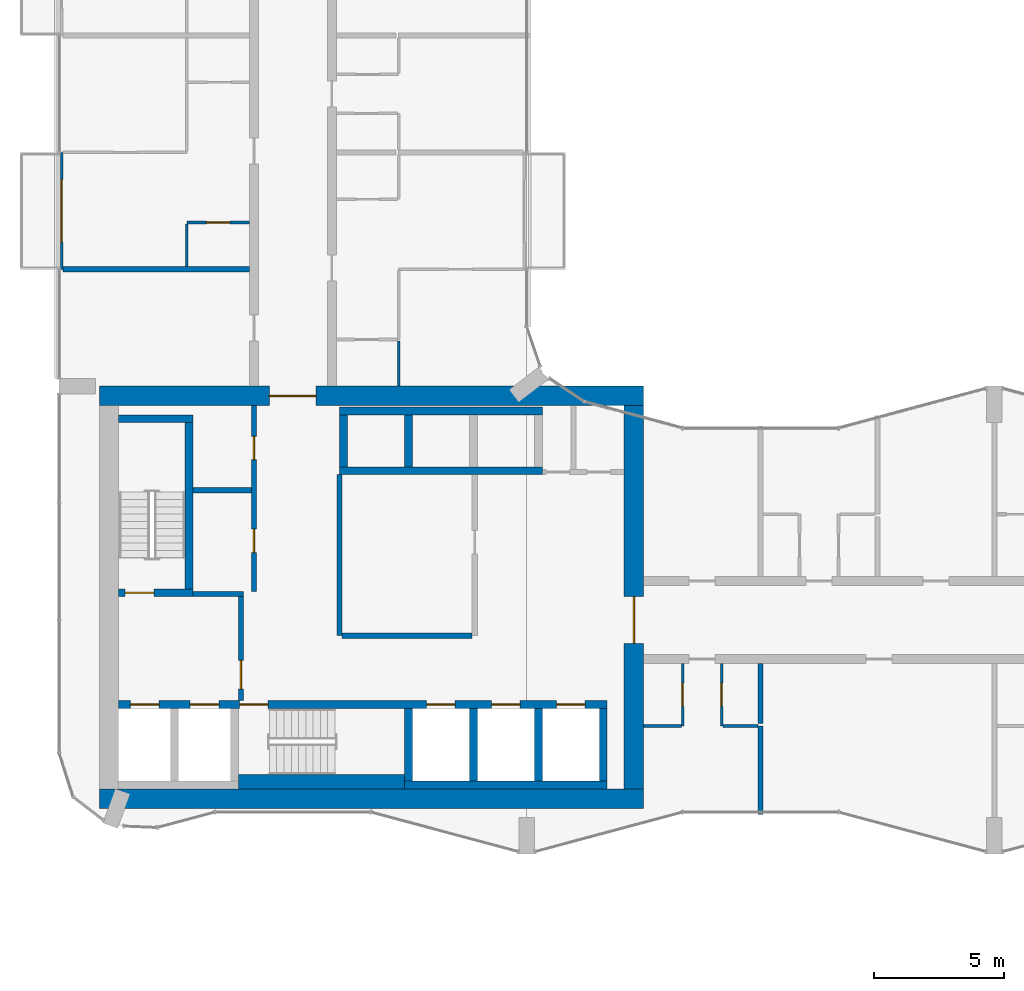
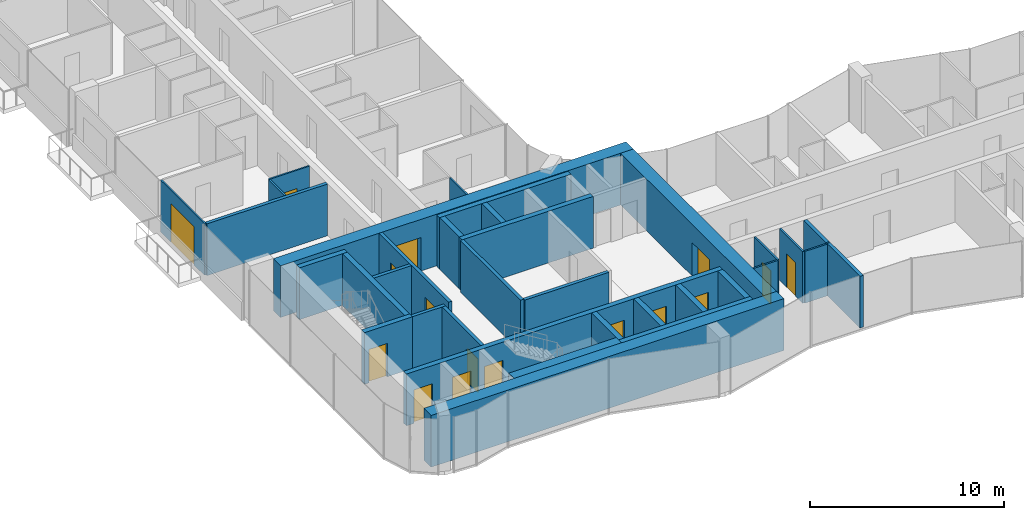
# One storey, part 13 of 22: 34 walls, 16 doors, 16 openings.
"""IFC4 building model written with IfcOpenShell, lengths in metres."""

from ifc_helpers import new_model, si_unit, direction, frame, frame_2d, origin, place, context, subcontext, project, spatial, rectangle, extrude, material, layer, layer_set, type_object, element, fill, save


model = new_model("IFC4")

# Units and contexts
model_context = context("Model", 3, precision=1e-05, world=origin(), true_north=direction((0.0, 1.0)))
body_context = subcontext(model_context, "Body", "Model", "MODEL_VIEW")
ifc_project = project(units=[si_unit("LENGTHUNIT", "METRE"), si_unit("AREAUNIT", "SQUARE_METRE"), si_unit("VOLUMEUNIT", "CUBIC_METRE"), si_unit("PLANEANGLEUNIT", "RADIAN"), si_unit("MASSUNIT", "GRAM", prefix="KILO")], contexts=[model_context])

# Site, building, storey
site_placement = place(None, origin())
site = spatial("IfcSite", under=ifc_project, at=site_placement, CompositionType="ELEMENT")
building_placement = place(site_placement, origin())
building = spatial("IfcBuilding", under=site, at=building_placement, Name="Plateau Cross Towers", CompositionType="ELEMENT")
storey_placement = place(building_placement, frame((0.0, 0.0, 54.800048828125)))
storey = spatial("IfcBuildingStorey", under=building, at=storey_placement, Name="L13", CompositionType="ELEMENT", Elevation=54.800048828125)

# Wall, opening, door
ifc_material_1 = material(Name="Aluminium framed glazing", Category="aluminium")
ifc_layer_1 = layer(ifc_material_1, 0.10009765625)
ifc_layer_set_1 = layer_set([ifc_layer_1], Name="Aluminium framed glazing")
wall_type_1 = type_object("IfcWallType", Name="Balcony screen wall 100", PredefinedType="STANDARD", material=ifc_layer_set_1)
wall_1_placement = place(storey_placement, frame((0.10009765625, 22.5, 0.0), z_axis=(0.0, 0.0, 1.0), x_axis=(0.0, 1.0, 0.0)))
wall_1 = element("IfcWall", 1, at=wall_1_placement, inside=storey, type_object=wall_type_1, Name="Balcony screen wall A-BAL-L13-01", PredefinedType="STANDARD", context=body_context, shape_type="SweptSolid", body=[
    extrude(rectangle(XDim=4.5, YDim=0.10009765625, at=frame_2d((2.25, 0.0))), origin(), (0.0, 0.0, 1.0), 3.25),
])
opening_1_placement = place(wall_1_placement, frame((1.050048828125, 0.0, 0.0)))
opening_1 = element("IfcOpeningElement", 2, at=opening_1_placement, cuts=wall_1, Name="Opening D-B24", PredefinedType="OPENING", context=body_context, shape_type="SweptSolid", body=[
    extrude(rectangle(XDim=2.39990234375, YDim=2.39990234375, at=frame_2d((1.199951171875, 1.199951171875))), frame((0.0, 0.06005859375, 0.0), z_axis=(0.0, -1.0, 0.0), x_axis=(1.0, 0.0, 0.0)), (0.0, 0.0, 1.0), 0.1201171875),
])
ifc_material_2 = material(Name="Aluminium frame, double glazing", Category="aluminium")
door_type_1 = type_object("IfcDoorType", Name="Balcony sliding door 2400", OperationType="NOTDEFINED", PredefinedType="DOOR", material=ifc_material_2)
door_1_placement = place(opening_1_placement, origin())
door_1 = element("IfcDoor", 3, at=door_1_placement, inside=storey, type_object=door_type_1, Name="Balcony door A-BAL-L13-01", OperationType="SINGLE_SWING_LEFT", OverallHeight=2.39990234375, OverallWidth=2.39990234375, PredefinedType="DOOR", context=body_context, shape_type="SweptSolid", body=[
    extrude(rectangle(XDim=2.39990234375, YDim=2.39990234375, at=frame_2d((1.199951171875, 1.199951171875))), frame((0.0, 0.02490234375, 0.0), z_axis=(0.0, -1.0, 0.0), x_axis=(1.0, 0.0, 0.0)), (0.0, 0.0, 1.0), 0.050048828125),
])
fill(opening_1, door_1)

ifc_material_3 = material(Name="Concrete block, plastered both sides", Category="concrete")
ifc_layer_2 = layer(ifc_material_3, 0.199951171875)
ifc_layer_set_2 = layer_set([ifc_layer_2], Name="Concrete block, plastered both sides")
wall_type_2 = type_object("IfcWallType", Name="Core partition 200", PredefinedType="PARTITIONING", material=ifc_layer_set_2)
wall_2_placement = place(storey_placement, frame((7.0, 5.89990234375, 0.0), z_axis=(0.0, 0.0, 1.0), x_axis=(0.0, 1.0, 0.0)))
wall_2 = element("IfcWall", 4, at=wall_2_placement, inside=storey, type_object=wall_type_2, Name="Core partition", PredefinedType="PARTITIONING", context=body_context, shape_type="SweptSolid", body=[
    extrude(rectangle(XDim=4.0, YDim=0.199951171875, at=frame_2d((2.0, 0.0))), origin(), (0.0, 0.0, 1.0), 3.25),
])
opening_2_placement = place(wall_2_placement, frame((0.449951171875, 0.0, 0.0)))
opening_2 = element("IfcOpeningElement", 5, at=opening_2_placement, cuts=wall_2, Name="Opening FFD", PredefinedType="OPENING", context=body_context, shape_type="SweptSolid", body=[
    extrude(rectangle(XDim=1.10009765625, YDim=2.10009765625, at=frame_2d((0.550048828125, 1.050048828125))), frame((0.0, 0.10986328125, 0.0), z_axis=(0.0, -1.0, 0.0), x_axis=(1.0, 0.0, 0.0)), (0.0, 0.0, 1.0), 0.219970703125),
])
ifc_material_4 = material(Name="Steel, fire-resisting leaf", Category="steel")
door_type_2 = type_object("IfcDoorType", Name="Firefighting lobby door 1100", OperationType="NOTDEFINED", PredefinedType="DOOR", material=ifc_material_4)
door_2_placement = place(opening_2_placement, origin())
door_2 = element("IfcDoor", 6, at=door_2_placement, inside=storey, type_object=door_type_2, Name="Firefighting lobby door FFD", OperationType="SINGLE_SWING_LEFT", OverallHeight=2.10009765625, OverallWidth=1.10009765625, PredefinedType="DOOR", context=body_context, shape_type="SweptSolid", body=[
    extrude(rectangle(XDim=1.10009765625, YDim=2.10009765625, at=frame_2d((0.550048828125, 1.050048828125))), frame((0.0, 0.02490234375, 0.0), z_axis=(0.0, -1.0, 0.0), x_axis=(1.0, 0.0, 0.0)), (0.0, 0.0, 1.0), 0.050048828125),
])
fill(opening_2, door_2)

# Walls
wall_3_placement = place(storey_placement, frame((5.14990234375, 10.0, 0.0), z_axis=(0.0, 0.0, 1.0), x_axis=(1.0, 0.0, 0.0)))
element("IfcWall", 7, at=wall_3_placement, inside=storey, type_object=wall_type_2, Name="Core partition", PredefinedType="PARTITIONING", context=body_context, shape_type="SweptSolid", body=[
    extrude(rectangle(XDim=1.9501953125, YDim=0.199951171875, at=frame_2d((0.97509765625, 0.0))), origin(), (0.0, 0.0, 1.0), 3.25),
])
wall_4_placement = place(storey_placement, frame((10.800048828125, 8.39990234375, 0.0), z_axis=(0.0, 0.0, 1.0), x_axis=(0.0, 1.0, 0.0)))
element("IfcWall", 8, at=wall_4_placement, inside=storey, type_object=wall_type_2, Name="Core partition", PredefinedType="PARTITIONING", context=body_context, shape_type="SweptSolid", body=[
    extrude(rectangle(XDim=6.2001953125, YDim=0.199951171875, at=frame_2d((3.10009765625, 0.0))), origin(), (0.0, 0.0, 1.0), 3.25),
])
wall_5_placement = place(storey_placement, frame((10.89990234375, 8.39990234375, 0.0), z_axis=(0.0, 0.0, 1.0), x_axis=(1.0, 0.0, 0.0)))
element("IfcWall", 9, at=wall_5_placement, inside=storey, type_object=wall_type_2, Name="Core partition", PredefinedType="PARTITIONING", context=body_context, shape_type="SweptSolid", body=[
    extrude(rectangle(XDim=5.0, YDim=0.199951171875, at=frame_2d((2.5, 0.0))), origin(), (0.0, 0.0, 1.0), 3.25),
])

# Wall, openings, doors
wall_6_placement = place(storey_placement, frame((7.5, 10.10009765625, 0.0), z_axis=(0.0, 0.0, 1.0), x_axis=(0.0, 1.0, 0.0)))
wall_6 = element("IfcWall", 10, at=wall_6_placement, inside=storey, type_object=wall_type_2, Name="Core partition", PredefinedType="PARTITIONING", context=body_context, shape_type="SweptSolid", body=[
    extrude(rectangle(XDim=7.14990234375, YDim=0.199951171875, at=frame_2d((3.574951171875, 0.0))), origin(), (0.0, 0.0, 1.0), 3.25),
])
opening_3_placement = place(wall_6_placement, frame((1.5, 0.0, 0.0)))
opening_3 = element("IfcOpeningElement", 11, at=opening_3_placement, cuts=wall_6, Name="Opening RD1", PredefinedType="OPENING", context=body_context, shape_type="SweptSolid", body=[
    extrude(rectangle(XDim=0.89990234375, YDim=2.10009765625, at=frame_2d((0.449951171875, 1.050048828125))), frame((0.0, 0.10986328125, 0.0), z_axis=(0.0, -1.0, 0.0), x_axis=(1.0, 0.0, 0.0)), (0.0, 0.0, 1.0), 0.219970703125),
])
opening_4_placement = place(wall_6_placement, frame((5.074951171875, 0.0, 0.0)))
opening_4 = element("IfcOpeningElement", 12, at=opening_4_placement, cuts=wall_6, Name="Opening RD1", PredefinedType="OPENING", context=body_context, shape_type="SweptSolid", body=[
    extrude(rectangle(XDim=0.89990234375, YDim=2.10009765625, at=frame_2d((0.449951171875, 1.050048828125))), frame((0.0, 0.10986328125, 0.0), z_axis=(0.0, -1.0, 0.0), x_axis=(1.0, 0.0, 0.0)), (0.0, 0.0, 1.0), 0.219970703125),
])
ifc_material_5 = material(Name="Timber, fire-resisting leaf", Category="wood")
door_type_3 = type_object("IfcDoorType", Name="Core service door 900", OperationType="NOTDEFINED", PredefinedType="DOOR", material=ifc_material_5)
door_3_placement = place(opening_3_placement, origin())
door_3 = element("IfcDoor", 13, at=door_3_placement, inside=storey, type_object=door_type_3, Name="Core service door RD1", OperationType="SINGLE_SWING_RIGHT", OverallHeight=2.10009765625, OverallWidth=0.89990234375, PredefinedType="DOOR", context=body_context, shape_type="SweptSolid", body=[
    extrude(rectangle(XDim=0.89990234375, YDim=2.10009765625, at=frame_2d((0.449951171875, 1.050048828125))), frame((0.0, 0.02490234375, 0.0), z_axis=(0.0, -1.0, 0.0), x_axis=(1.0, 0.0, 0.0)), (0.0, 0.0, 1.0), 0.050048828125),
])
fill(opening_3, door_3)
door_4_placement = place(opening_4_placement, origin())
door_4 = element("IfcDoor", 14, at=door_4_placement, inside=storey, type_object=door_type_3, Name="Core service door RD1", OperationType="SINGLE_SWING_RIGHT", OverallHeight=2.10009765625, OverallWidth=0.89990234375, PredefinedType="DOOR", context=body_context, shape_type="SweptSolid", body=[
    extrude(rectangle(XDim=0.89990234375, YDim=2.10009765625, at=frame_2d((0.449951171875, 1.050048828125))), frame((0.0, 0.02490234375, 0.0), z_axis=(0.0, -1.0, 0.0), x_axis=(1.0, 0.0, 0.0)), (0.0, 0.0, 1.0), 0.050048828125),
])
fill(opening_4, door_4)

# Walls
wall_7_placement = place(storey_placement, frame((5.14990234375, 14.0, 0.0), z_axis=(0.0, 0.0, 1.0), x_axis=(1.0, 0.0, 0.0)))
element("IfcWall", 15, at=wall_7_placement, inside=storey, type_object=wall_type_2, Name="Core partition", PredefinedType="PARTITIONING", context=body_context, shape_type="SweptSolid", body=[
    extrude(rectangle(XDim=2.25, YDim=0.199951171875, at=frame_2d((1.125, 0.0))), origin(), (0.0, 0.0, 1.0), 3.25),
])
ifc_material_6 = material(Name="Concrete C60/75", Category="concrete")
ifc_layer_3 = layer(ifc_material_6, 0.300048828125)
ifc_layer_set_3 = layer_set([ifc_layer_3], Name="Concrete C60/75")
wall_type_3 = type_object("IfcWallType", Name="Core shaft wall 300", PredefinedType="SHEAR", material=ifc_layer_set_3)
wall_8_placement = place(storey_placement, frame((13.300048828125, 2.64990234375, 0.0), z_axis=(0.0, 0.0, 1.0), x_axis=(1.0, 0.0, 0.0)))
element("IfcWall", 16, at=wall_8_placement, inside=storey, type_object=wall_type_3, Name="A-sb-back3@L13", PredefinedType="SHEAR", context=body_context, shape_type="SweptSolid", body=[
    extrude(rectangle(XDim=7.800048828125, YDim=0.300048828125, at=frame_2d((3.89990234375, 0.0))), origin(), (0.0, 0.0, 1.0), 3.25),
])
for number, where, z_axis, x_axis, name in (
    (17, (13.449951171875, 2.800048828125, 0.0), (0.0, 0.0, 1.0), (0.0, 1.0, 0.0), "A-sb-v3@L13"),
    (18, (15.949951171875, 2.800048828125, 0.0), (0.0, 0.0, 1.0), (0.0, 1.0, 0.0), "A-sb-v4@L13"),
    (19, (18.449951171875, 2.800048828125, 0.0), (0.0, 0.0, 1.0), (0.0, 1.0, 0.0), "A-sb-v5@L13"),
    (20, (20.949951171875, 2.800048828125, 0.0), (0.0, 0.0, 1.0), (0.0, 1.0, 0.0), "A-sb-v6@L13"),
):
    element("IfcWall", number, at=place(storey_placement, frame(where, z_axis=z_axis, x_axis=x_axis)), inside=storey, type_object=wall_type_3, Name=name, PredefinedType="SHEAR", context=body_context, shape_type="SweptSolid", body=[
        extrude(rectangle(XDim=2.800048828125, YDim=0.300048828125, at=frame_2d((1.39990234375, 0.0))), origin(), (0.0, 0.0, 1.0), 3.25),
    ])

# Wall, openings, doors
wall_9_placement = place(storey_placement, frame((2.300048828125, 5.75, 0.0), z_axis=(0.0, 0.0, 1.0), x_axis=(1.0, 0.0, 0.0)))
wall_9 = element("IfcWall", 21, at=wall_9_placement, inside=storey, type_object=wall_type_3, Name="A-sb-front@L13", PredefinedType="SHEAR", context=body_context, shape_type="SweptSolid", body=[
    extrude(rectangle(XDim=18.800048828125, YDim=0.300048828125, at=frame_2d((9.39990234375, 0.0))), origin(), (0.0, 0.0, 1.0), 3.25),
])
opening_5_placement = place(wall_9_placement, frame((4.64990234375, 0.0, 0.0)))
opening_5 = element("IfcOpeningElement", 22, at=opening_5_placement, cuts=wall_9, Name="Opening SD", PredefinedType="OPENING", context=body_context, shape_type="SweptSolid", body=[
    extrude(rectangle(XDim=1.10009765625, YDim=2.10009765625, at=frame_2d((0.550048828125, 1.050048828125))), frame((0.0, 0.159912109375, 0.0), z_axis=(0.0, -1.0, 0.0), x_axis=(1.0, 0.0, 0.0)), (0.0, 0.0, 1.0), 0.320068359375),
])
opening_6_placement = place(wall_9_placement, frame((0.449951171875, 0.0, 0.0)))
opening_6 = element("IfcOpeningElement", 23, at=opening_6_placement, cuts=wall_9, Name="Opening LD", PredefinedType="OPENING", context=body_context, shape_type="SweptSolid", body=[
    extrude(rectangle(XDim=1.10009765625, YDim=2.10009765625, at=frame_2d((0.550048828125, 1.050048828125))), frame((0.0, 0.159912109375, 0.0), z_axis=(0.0, -1.0, 0.0), x_axis=(1.0, 0.0, 0.0)), (0.0, 0.0, 1.0), 0.320068359375),
])
opening_7_placement = place(wall_9_placement, frame((2.75, 0.0, 0.0)))
opening_7 = element("IfcOpeningElement", 24, at=opening_7_placement, cuts=wall_9, Name="Opening LD", PredefinedType="OPENING", context=body_context, shape_type="SweptSolid", body=[
    extrude(rectangle(XDim=1.10009765625, YDim=2.10009765625, at=frame_2d((0.550048828125, 1.050048828125))), frame((0.0, 0.159912109375, 0.0), z_axis=(0.0, -1.0, 0.0), x_axis=(1.0, 0.0, 0.0)), (0.0, 0.0, 1.0), 0.320068359375),
])
opening_8_placement = place(wall_9_placement, frame((11.85009765625, 0.0, 0.0)))
opening_8 = element("IfcOpeningElement", 25, at=opening_8_placement, cuts=wall_9, Name="Opening LD", PredefinedType="OPENING", context=body_context, shape_type="SweptSolid", body=[
    extrude(rectangle(XDim=1.10009765625, YDim=2.10009765625, at=frame_2d((0.550048828125, 1.050048828125))), frame((0.0, 0.159912109375, 0.0), z_axis=(0.0, -1.0, 0.0), x_axis=(1.0, 0.0, 0.0)), (0.0, 0.0, 1.0), 0.320068359375),
])
opening_9_placement = place(wall_9_placement, frame((14.35009765625, 0.0, 0.0)))
opening_9 = element("IfcOpeningElement", 26, at=opening_9_placement, cuts=wall_9, Name="Opening LD", PredefinedType="OPENING", context=body_context, shape_type="SweptSolid", body=[
    extrude(rectangle(XDim=1.10009765625, YDim=2.10009765625, at=frame_2d((0.550048828125, 1.050048828125))), frame((0.0, 0.159912109375, 0.0), z_axis=(0.0, -1.0, 0.0), x_axis=(1.0, 0.0, 0.0)), (0.0, 0.0, 1.0), 0.320068359375),
])
opening_10_placement = place(wall_9_placement, frame((16.85009765625, 0.0, 0.0)))
opening_10 = element("IfcOpeningElement", 27, at=opening_10_placement, cuts=wall_9, Name="Opening LD", PredefinedType="OPENING", context=body_context, shape_type="SweptSolid", body=[
    extrude(rectangle(XDim=1.10009765625, YDim=2.10009765625, at=frame_2d((0.550048828125, 1.050048828125))), frame((0.0, 0.159912109375, 0.0), z_axis=(0.0, -1.0, 0.0), x_axis=(1.0, 0.0, 0.0)), (0.0, 0.0, 1.0), 0.320068359375),
])
ifc_material_7 = material(Name="Stainless steel, fire-resisting sliding leaves", Category="steel")
door_type_4 = type_object("IfcDoorType", Name="Lift landing door 1100", OperationType="NOTDEFINED", PredefinedType="DOOR", material=ifc_material_7)
door_5_placement = place(opening_6_placement, origin())
door_5 = element("IfcDoor", 28, at=door_5_placement, inside=storey, type_object=door_type_4, Name="Lift landing door LD", OperationType="DOUBLE_DOOR_SLIDING", OverallHeight=2.10009765625, OverallWidth=1.10009765625, PredefinedType="DOOR", context=body_context, shape_type="SweptSolid", body=[
    extrude(rectangle(XDim=1.10009765625, YDim=2.10009765625, at=frame_2d((0.550048828125, 1.050048828125))), frame((0.0, 0.02490234375, 0.0), z_axis=(0.0, -1.0, 0.0), x_axis=(1.0, 0.0, 0.0)), (0.0, 0.0, 1.0), 0.050048828125),
])
fill(opening_6, door_5)
door_6_placement = place(opening_7_placement, origin())
door_6 = element("IfcDoor", 29, at=door_6_placement, inside=storey, type_object=door_type_4, Name="Lift landing door LD", OperationType="DOUBLE_DOOR_SLIDING", OverallHeight=2.10009765625, OverallWidth=1.10009765625, PredefinedType="DOOR", context=body_context, shape_type="SweptSolid", body=[
    extrude(rectangle(XDim=1.10009765625, YDim=2.10009765625, at=frame_2d((0.550048828125, 1.050048828125))), frame((0.0, 0.02490234375, 0.0), z_axis=(0.0, -1.0, 0.0), x_axis=(1.0, 0.0, 0.0)), (0.0, 0.0, 1.0), 0.050048828125),
])
fill(opening_7, door_6)
door_7_placement = place(opening_8_placement, origin())
door_7 = element("IfcDoor", 30, at=door_7_placement, inside=storey, type_object=door_type_4, Name="Lift landing door LD", OperationType="DOUBLE_DOOR_SLIDING", OverallHeight=2.10009765625, OverallWidth=1.10009765625, PredefinedType="DOOR", context=body_context, shape_type="SweptSolid", body=[
    extrude(rectangle(XDim=1.10009765625, YDim=2.10009765625, at=frame_2d((0.550048828125, 1.050048828125))), frame((0.0, 0.02490234375, 0.0), z_axis=(0.0, -1.0, 0.0), x_axis=(1.0, 0.0, 0.0)), (0.0, 0.0, 1.0), 0.050048828125),
])
fill(opening_8, door_7)
door_8_placement = place(opening_9_placement, origin())
door_8 = element("IfcDoor", 31, at=door_8_placement, inside=storey, type_object=door_type_4, Name="Lift landing door LD", OperationType="DOUBLE_DOOR_SLIDING", OverallHeight=2.10009765625, OverallWidth=1.10009765625, PredefinedType="DOOR", context=body_context, shape_type="SweptSolid", body=[
    extrude(rectangle(XDim=1.10009765625, YDim=2.10009765625, at=frame_2d((0.550048828125, 1.050048828125))), frame((0.0, 0.02490234375, 0.0), z_axis=(0.0, -1.0, 0.0), x_axis=(1.0, 0.0, 0.0)), (0.0, 0.0, 1.0), 0.050048828125),
])
fill(opening_9, door_8)
door_9_placement = place(opening_10_placement, origin())
door_9 = element("IfcDoor", 32, at=door_9_placement, inside=storey, type_object=door_type_4, Name="Lift landing door LD", OperationType="DOUBLE_DOOR_SLIDING", OverallHeight=2.10009765625, OverallWidth=1.10009765625, PredefinedType="DOOR", context=body_context, shape_type="SweptSolid", body=[
    extrude(rectangle(XDim=1.10009765625, YDim=2.10009765625, at=frame_2d((0.550048828125, 1.050048828125))), frame((0.0, 0.02490234375, 0.0), z_axis=(0.0, -1.0, 0.0), x_axis=(1.0, 0.0, 0.0)), (0.0, 0.0, 1.0), 0.050048828125),
])
fill(opening_10, door_9)
door_type_5 = type_object("IfcDoorType", Name="Stair door 1100", OperationType="NOTDEFINED", PredefinedType="DOOR", material=ifc_material_4)
door_10_placement = place(opening_5_placement, origin())
door_10 = element("IfcDoor", 33, at=door_10_placement, inside=storey, type_object=door_type_5, Name="Stair door SD", OperationType="SINGLE_SWING_LEFT", OverallHeight=2.10009765625, OverallWidth=1.10009765625, PredefinedType="DOOR", context=body_context, shape_type="SweptSolid", body=[
    extrude(rectangle(XDim=1.10009765625, YDim=2.10009765625, at=frame_2d((0.550048828125, 1.050048828125))), frame((0.0, 0.02490234375, 0.0), z_axis=(0.0, -1.0, 0.0), x_axis=(1.0, 0.0, 0.0)), (0.0, 0.0, 1.0), 0.050048828125),
])
fill(opening_5, door_10)

# Wall, opening, door
wall_10_placement = place(storey_placement, frame((2.300048828125, 10.050048828125, 0.0), z_axis=(0.0, 0.0, 1.0), x_axis=(1.0, 0.0, 0.0)))
wall_10 = element("IfcWall", 34, at=wall_10_placement, inside=storey, type_object=wall_type_3, Name="A-st1-S@L13", PredefinedType="SHEAR", context=body_context, shape_type="SweptSolid", body=[
    extrude(rectangle(XDim=2.849853515625, YDim=0.300048828125, at=frame_2d((1.4248046875, 0.0))), origin(), (0.0, 0.0, 1.0), 3.25),
])
opening_11_placement = place(wall_10_placement, frame((0.25, 0.0, 0.0)))
opening_11 = element("IfcOpeningElement", 35, at=opening_11_placement, cuts=wall_10, Name="Opening SD", PredefinedType="OPENING", context=body_context, shape_type="SweptSolid", body=[
    extrude(rectangle(XDim=1.10009765625, YDim=2.10009765625, at=frame_2d((0.550048828125, 1.050048828125))), frame((0.0, 0.159912109375, 0.0), z_axis=(0.0, -1.0, 0.0), x_axis=(1.0, 0.0, 0.0)), (0.0, 0.0, 1.0), 0.320068359375),
])
door_11_placement = place(opening_11_placement, origin())
door_11 = element("IfcDoor", 36, at=door_11_placement, inside=storey, type_object=door_type_5, Name="Stair door SD", OperationType="SINGLE_SWING_RIGHT", OverallHeight=2.10009765625, OverallWidth=1.10009765625, PredefinedType="DOOR", context=body_context, shape_type="SweptSolid", body=[
    extrude(rectangle(XDim=1.10009765625, YDim=2.10009765625, at=frame_2d((0.550048828125, 1.050048828125))), frame((0.0, 0.02490234375, 0.0), z_axis=(0.0, -1.0, 0.0), x_axis=(1.0, 0.0, 0.0)), (0.0, 0.0, 1.0), 0.050048828125),
])
fill(opening_11, door_11)

# Walls
wall_11_placement = place(storey_placement, frame((5.0, 10.199951171875, 0.0), z_axis=(0.0, 0.0, 1.0), x_axis=(0.0, 1.0, 0.0)))
element("IfcWall", 37, at=wall_11_placement, inside=storey, type_object=wall_type_3, Name="A-st1-E@L13", PredefinedType="SHEAR", context=body_context, shape_type="SweptSolid", body=[
    extrude(rectangle(XDim=6.400146484375, YDim=0.300048828125, at=frame_2d((3.2001953125, 0.0))), origin(), (0.0, 0.0, 1.0), 3.25),
])
wall_12_placement = place(storey_placement, frame((2.300048828125, 16.75, 0.0), z_axis=(0.0, 0.0, 1.0), x_axis=(1.0, 0.0, 0.0)))
element("IfcWall", 38, at=wall_12_placement, inside=storey, type_object=wall_type_3, Name="A-st1-N@L13", PredefinedType="SHEAR", context=body_context, shape_type="SweptSolid", body=[
    extrude(rectangle(XDim=2.849853515625, YDim=0.300048828125, at=frame_2d((1.4248046875, 0.0))), origin(), (0.0, 0.0, 1.0), 3.25),
])
for number, where, z_axis, x_axis, name in (
    (39, (10.800048828125, 17.050048828125, 0.0), (0.0, 0.0, 1.0), (1.0, 0.0, 0.0), "A-nb-back@L13"),
    (40, (10.800048828125, 14.75, 0.0), (0.0, 0.0, 1.0), (1.0, 0.0, 0.0), "A-nb-front@L13"),
):
    element("IfcWall", number, at=place(storey_placement, frame(where, z_axis=z_axis, x_axis=x_axis)), inside=storey, type_object=wall_type_3, Name=name, PredefinedType="SHEAR", context=body_context, shape_type="SweptSolid", body=[
        extrude(rectangle(XDim=7.800048828125, YDim=0.300048828125, at=frame_2d((3.89990234375, 0.0))), origin(), (0.0, 0.0, 1.0), 3.25),
    ])
for number, where, z_axis, x_axis, name in (
    (41, (10.949951171875, 14.89990234375, 0.0), (0.0, 0.0, 1.0), (0.0, 1.0, 0.0), "A-nb-v1@L13"),
    (42, (13.449951171875, 14.89990234375, 0.0), (0.0, 0.0, 1.0), (0.0, 1.0, 0.0), "A-nb-v2@L13"),
):
    element("IfcWall", number, at=place(storey_placement, frame(where, z_axis=z_axis, x_axis=x_axis)), inside=storey, type_object=wall_type_3, Name=name, PredefinedType="SHEAR", context=body_context, shape_type="SweptSolid", body=[
        extrude(rectangle(XDim=2.0, YDim=0.300048828125, at=frame_2d((1.0, 0.0))), origin(), (0.0, 0.0, 1.0), 3.25),
    ])
ifc_layer_4 = layer(ifc_material_6, 0.550048828125)
ifc_layer_set_4 = layer_set([ifc_layer_4], Name="Concrete C60/75")
wall_type_4 = type_object("IfcWallType", Name="Core shaft wall 550", PredefinedType="SHEAR", material=ifc_layer_set_4)
wall_13_placement = place(storey_placement, frame((6.89990234375, 2.77490234375, 0.0), z_axis=(0.0, 0.0, 1.0), x_axis=(1.0, 0.0, 0.0)))
element("IfcWall", 43, at=wall_13_placement, inside=storey, type_object=wall_type_4, Name="A-sb-back2@L13", PredefinedType="SHEAR", context=body_context, shape_type="SweptSolid", body=[
    extrude(rectangle(XDim=6.400146484375, YDim=0.550048828125, at=frame_2d((3.2001953125, 0.0))), origin(), (0.0, 0.0, 1.0), 3.25),
])
ifc_layer_5 = layer(ifc_material_6, 0.75)
ifc_layer_set_5 = layer_set([ifc_layer_5], Name="Concrete C60/75")
wall_type_5 = type_object("IfcWallType", Name="Core shell wall 750", PredefinedType="SHEAR", material=ifc_layer_set_5)
wall_14_placement = place(storey_placement, frame((1.550048828125, 2.125, 0.0), z_axis=(0.0, 0.0, 1.0), x_axis=(1.0, 0.0, 0.0)))
element("IfcWall", 44, at=wall_14_placement, inside=storey, type_object=wall_type_5, Name="A-core-S@L13", PredefinedType="SHEAR", context=body_context, shape_type="SweptSolid", body=[
    extrude(rectangle(XDim=20.949951171875, YDim=0.75, at=frame_2d((10.47509765625, 0.0))), origin(), (0.0, 0.0, 1.0), 3.25),
])

# Wall, opening, door
wall_15_placement = place(storey_placement, frame((1.550048828125, 17.625, 0.0), z_axis=(0.0, 0.0, 1.0), x_axis=(1.0, 0.0, 0.0)))
wall_15 = element("IfcWall", 45, at=wall_15_placement, inside=storey, type_object=wall_type_5, Name="A-core-N@L13", PredefinedType="SHEAR", context=body_context, shape_type="SweptSolid", body=[
    extrude(rectangle(XDim=20.949951171875, YDim=0.75, at=frame_2d((10.47509765625, 0.0))), origin(), (0.0, 0.0, 1.0), 3.25),
])
opening_12_placement = place(wall_15_placement, frame((6.550048828125, 0.0, 0.0)))
opening_12 = element("IfcOpeningElement", 46, at=opening_12_placement, cuts=wall_15, Name="Opening CD", PredefinedType="OPENING", context=body_context, shape_type="SweptSolid", body=[
    extrude(rectangle(XDim=1.800048828125, YDim=2.10009765625, at=frame_2d((0.89990234375, 1.050048828125))), frame((0.0, 0.385009765625, 0.0), z_axis=(0.0, -1.0, 0.0), x_axis=(1.0, 0.0, 0.0)), (0.0, 0.0, 1.0), 0.77001953125),
])
ifc_material_8 = material(Name="Steel, fire-resisting leaves", Category="steel")
door_type_6 = type_object("IfcDoorType", Name="Corridor door pair 1800", OperationType="NOTDEFINED", PredefinedType="DOOR", material=ifc_material_8)
door_12_placement = place(opening_12_placement, origin())
door_12 = element("IfcDoor", 47, at=door_12_placement, inside=storey, type_object=door_type_6, Name="Corridor door pair CD", OperationType="DOUBLE_DOOR_SINGLE_SWING", OverallHeight=2.10009765625, OverallWidth=1.800048828125, PredefinedType="DOOR", context=body_context, shape_type="SweptSolid", body=[
    extrude(rectangle(XDim=1.800048828125, YDim=2.10009765625, at=frame_2d((0.89990234375, 1.050048828125))), frame((0.0, 0.02490234375, 0.0), z_axis=(0.0, -1.0, 0.0), x_axis=(1.0, 0.0, 0.0)), (0.0, 0.0, 1.0), 0.050048828125),
])
fill(opening_12, door_12)

wall_16_placement = place(storey_placement, frame((22.125, 2.5, 0.0), z_axis=(0.0, 0.0, 1.0), x_axis=(0.0, 1.0, 0.0)))
wall_16 = element("IfcWall", 48, at=wall_16_placement, inside=storey, type_object=wall_type_5, Name="A-core-E@L13", PredefinedType="SHEAR", context=body_context, shape_type="SweptSolid", body=[
    extrude(rectangle(XDim=14.75, YDim=0.75, at=frame_2d((7.375, 0.0))), origin(), (0.0, 0.0, 1.0), 3.25),
])
opening_13_placement = place(wall_16_placement, frame((5.60009765625, 0.0, 0.0)))
opening_13 = element("IfcOpeningElement", 49, at=opening_13_placement, cuts=wall_16, Name="Opening CD", PredefinedType="OPENING", context=body_context, shape_type="SweptSolid", body=[
    extrude(rectangle(XDim=1.800048828125, YDim=2.10009765625, at=frame_2d((0.89990234375, 1.050048828125))), frame((0.0, 0.385009765625, 0.0), z_axis=(0.0, -1.0, 0.0), x_axis=(1.0, 0.0, 0.0)), (0.0, 0.0, 1.0), 0.77001953125),
])
door_13_placement = place(opening_13_placement, origin())
door_13 = element("IfcDoor", 50, at=door_13_placement, inside=storey, type_object=door_type_6, Name="Corridor door pair CD", OperationType="DOUBLE_DOOR_SINGLE_SWING", OverallHeight=2.10009765625, OverallWidth=1.800048828125, PredefinedType="DOOR", context=body_context, shape_type="SweptSolid", body=[
    extrude(rectangle(XDim=1.800048828125, YDim=2.10009765625, at=frame_2d((0.89990234375, 1.050048828125))), frame((0.0, 0.02490234375, 0.0), z_axis=(0.0, -1.0, 0.0), x_axis=(1.0, 0.0, 0.0)), (0.0, 0.0, 1.0), 0.050048828125),
])
fill(opening_13, door_13)

# Walls
ifc_material_9 = material(Name="Gypsum board on steel studs", Category="steel")
ifc_layer_6 = layer(ifc_material_9, 0.10009765625)
ifc_layer_set_6 = layer_set([ifc_layer_6], Name="Gypsum board on steel studs")
wall_type_6 = type_object("IfcWallType", Name="Flat partition 100", PredefinedType="PARTITIONING", material=ifc_layer_set_6)
wall_17_placement = place(storey_placement, frame((22.5, 4.925048828125, 0.0), z_axis=(0.0, 0.0, 1.0), x_axis=(1.0, 0.0, 0.0)))
element("IfcWall", 51, at=wall_17_placement, inside=storey, type_object=wall_type_6, Name="Partition wall", PredefinedType="PARTITIONING", context=body_context, shape_type="SweptSolid", body=[
    extrude(rectangle(XDim=1.449951171875, YDim=0.10009765625, at=frame_2d((0.72509765625, 0.0))), origin(), (0.0, 0.0, 1.0), 3.25),
])
wall_18_placement = place(storey_placement, frame((25.550048828125, 4.925048828125, 0.0), z_axis=(0.0, 0.0, 1.0), x_axis=(1.0, 0.0, 0.0)))
element("IfcWall", 52, at=wall_18_placement, inside=storey, type_object=wall_type_6, Name="Partition wall", PredefinedType="PARTITIONING", context=body_context, shape_type="SweptSolid", body=[
    extrude(rectangle(XDim=1.349853515625, YDim=0.10009765625, at=frame_2d((0.6748046875, 0.0))), origin(), (0.0, 0.0, 1.0), 3.25),
])

# Wall, opening, door
wall_19_placement = place(storey_placement, frame((7.324951171875, 24.300048828125, 0.0), z_axis=(0.0, 0.0, 1.0), x_axis=(-1.0, 0.0, 0.0)))
wall_19 = element("IfcWall", 53, at=wall_19_placement, inside=storey, type_object=wall_type_6, Name="Partition wall", PredefinedType="PARTITIONING", context=body_context, shape_type="SweptSolid", body=[
    extrude(rectangle(XDim=2.39990234375, YDim=0.10009765625, at=frame_2d((1.199951171875, 0.0))), origin(), (0.0, 0.0, 1.0), 3.25),
])
opening_14_placement = place(wall_19_placement, frame((0.75, 0.0, 0.0)))
opening_14 = element("IfcOpeningElement", 54, at=opening_14_placement, cuts=wall_19, Name="Opening 13-31", PredefinedType="OPENING", context=body_context, shape_type="SweptSolid", body=[
    extrude(rectangle(XDim=0.89990234375, YDim=2.10009765625, at=frame_2d((0.449951171875, 1.050048828125))), frame((0.0, 0.06005859375, 0.0), z_axis=(0.0, -1.0, 0.0), x_axis=(1.0, 0.0, 0.0)), (0.0, 0.0, 1.0), 0.1201171875),
])
ifc_material_10 = material(Name="Timber leaf", Category="wood")
door_type_7 = type_object("IfcDoorType", Name="Flat room door 900", OperationType="NOTDEFINED", PredefinedType="DOOR", material=ifc_material_10)
door_14_placement = place(opening_14_placement, origin())
door_14 = element("IfcDoor", 55, at=door_14_placement, inside=storey, type_object=door_type_7, Name="Door 13-31", OperationType="SINGLE_SWING_LEFT", OverallHeight=2.10009765625, OverallWidth=0.89990234375, PredefinedType="DOOR", context=body_context, shape_type="SweptSolid", body=[
    extrude(rectangle(XDim=0.89990234375, YDim=2.10009765625, at=frame_2d((0.449951171875, 1.050048828125))), frame((0.0, 0.02490234375, 0.0), z_axis=(0.0, -1.0, 0.0), x_axis=(1.0, 0.0, 0.0)), (0.0, 0.0, 1.0), 0.050048828125),
])
fill(opening_14, door_14)

# Walls
wall_20_placement = place(storey_placement, frame((4.925048828125, 24.25, 0.0), z_axis=(0.0, 0.0, 1.0), x_axis=(0.0, -1.0, 0.0)))
element("IfcWall", 56, at=wall_20_placement, inside=storey, type_object=wall_type_6, Name="Partition wall", PredefinedType="PARTITIONING", context=body_context, shape_type="SweptSolid", body=[
    extrude(rectangle(XDim=1.64990234375, YDim=0.10009765625, at=frame_2d((0.824951171875, 0.0))), origin(), (0.0, 0.0, 1.0), 3.25),
])
wall_21_placement = place(storey_placement, frame((13.074951171875, 18.0, 0.0), z_axis=(0.0, 0.0, 1.0), x_axis=(0.0, 1.0, 0.0)))
element("IfcWall", 57, at=wall_21_placement, inside=storey, type_object=wall_type_6, Name="Partition wall", PredefinedType="PARTITIONING", context=body_context, shape_type="SweptSolid", body=[
    extrude(rectangle(XDim=1.75, YDim=0.10009765625, at=frame_2d((0.875, 0.0))), origin(), (0.0, 0.0, 1.0), 3.25),
])

# Wall, opening, door
wall_22_placement = place(storey_placement, frame((24.0, 4.925048828125, 0.0), z_axis=(0.0, 0.0, 1.0), x_axis=(0.0, 1.0, 0.0)))
wall_22 = element("IfcWall", 58, at=wall_22_placement, inside=storey, type_object=wall_type_6, Name="Partition wall", PredefinedType="PARTITIONING", context=body_context, shape_type="SweptSolid", body=[
    extrude(rectangle(XDim=2.39990234375, YDim=0.10009765625, at=frame_2d((1.199951171875, 0.0))), origin(), (0.0, 0.0, 1.0), 3.25),
])
opening_15_placement = place(wall_22_placement, frame((0.75, 0.0, 0.0)))
opening_15 = element("IfcOpeningElement", 59, at=opening_15_placement, cuts=wall_22, Name="Opening 13-20", PredefinedType="OPENING", context=body_context, shape_type="SweptSolid", body=[
    extrude(rectangle(XDim=0.89990234375, YDim=2.10009765625, at=frame_2d((0.449951171875, 1.050048828125))), frame((0.0, 0.06005859375, 0.0), z_axis=(0.0, -1.0, 0.0), x_axis=(1.0, 0.0, 0.0)), (0.0, 0.0, 1.0), 0.1201171875),
])
door_15_placement = place(opening_15_placement, origin())
door_15 = element("IfcDoor", 60, at=door_15_placement, inside=storey, type_object=door_type_7, Name="Door 13-20", OperationType="SINGLE_SWING_LEFT", OverallHeight=2.10009765625, OverallWidth=0.89990234375, PredefinedType="DOOR", context=body_context, shape_type="SweptSolid", body=[
    extrude(rectangle(XDim=0.89990234375, YDim=2.10009765625, at=frame_2d((0.449951171875, 1.050048828125))), frame((0.0, 0.02490234375, 0.0), z_axis=(0.0, -1.0, 0.0), x_axis=(1.0, 0.0, 0.0)), (0.0, 0.0, 1.0), 0.050048828125),
])
fill(opening_15, door_15)

wall_23_placement = place(storey_placement, frame((25.5, 7.324951171875, 0.0), z_axis=(0.0, 0.0, 1.0), x_axis=(0.0, -1.0, 0.0)))
wall_23 = element("IfcWall", 61, at=wall_23_placement, inside=storey, type_object=wall_type_6, Name="Partition wall", PredefinedType="PARTITIONING", context=body_context, shape_type="SweptSolid", body=[
    extrude(rectangle(XDim=2.39990234375, YDim=0.10009765625, at=frame_2d((1.199951171875, 0.0))), origin(), (0.0, 0.0, 1.0), 3.25),
])
opening_16_placement = place(wall_23_placement, frame((0.75, 0.0, 0.0)))
opening_16 = element("IfcOpeningElement", 62, at=opening_16_placement, cuts=wall_23, Name="Opening 13-21", PredefinedType="OPENING", context=body_context, shape_type="SweptSolid", body=[
    extrude(rectangle(XDim=0.89990234375, YDim=2.10009765625, at=frame_2d((0.449951171875, 1.050048828125))), frame((0.0, 0.06005859375, 0.0), z_axis=(0.0, -1.0, 0.0), x_axis=(1.0, 0.0, 0.0)), (0.0, 0.0, 1.0), 0.1201171875),
])
door_16_placement = place(opening_16_placement, origin())
door_16 = element("IfcDoor", 63, at=door_16_placement, inside=storey, type_object=door_type_7, Name="Door 13-21", OperationType="SINGLE_SWING_LEFT", OverallHeight=2.10009765625, OverallWidth=0.89990234375, PredefinedType="DOOR", context=body_context, shape_type="SweptSolid", body=[
    extrude(rectangle(XDim=0.89990234375, YDim=2.10009765625, at=frame_2d((0.449951171875, 1.050048828125))), frame((0.0, 0.02490234375, 0.0), z_axis=(0.0, -1.0, 0.0), x_axis=(1.0, 0.0, 0.0)), (0.0, 0.0, 1.0), 0.050048828125),
])
fill(opening_16, door_16)

# Walls
ifc_material_11 = material(Name="Gypsum board on steel studs, two layers each side", Category="steel")
ifc_layer_7 = layer(ifc_material_11, 0.199951171875)
ifc_layer_set_7 = layer_set([ifc_layer_7], Name="Gypsum board on steel studs, two layers each side")
wall_type_7 = type_object("IfcWallType", Name="Flat party wall 200", PredefinedType="PARTITIONING", material=ifc_layer_set_7)
wall_24_placement = place(storey_placement, frame((7.324951171875, 22.5, 0.0), z_axis=(0.0, 0.0, 1.0), x_axis=(-1.0, 0.0, 0.0)))
element("IfcWall", 64, at=wall_24_placement, inside=storey, type_object=wall_type_7, Name="Party wall", PredefinedType="PARTITIONING", context=body_context, shape_type="SweptSolid", body=[
    extrude(rectangle(XDim=7.175048828125, YDim=0.199951171875, at=frame_2d((3.58740234375, 0.0))), origin(), (0.0, 0.0, 1.0), 3.25),
])
wall_25_placement = place(storey_placement, frame((27.0, 4.925048828125, 0.0), z_axis=(0.0, 0.0, 1.0), x_axis=(0.0, -1.0, 0.0)))
element("IfcWall", 65, at=wall_25_placement, inside=storey, type_object=wall_type_7, Name="Party wall", PredefinedType="PARTITIONING", context=body_context, shape_type="SweptSolid", body=[
    extrude(rectangle(XDim=3.398193359375, YDim=0.199951171875, at=frame_2d((1.69921875, 0.0))), origin(), (0.0, 0.0, 1.0), 3.25),
])
wall_26_placement = place(storey_placement, frame((27.0, 5.02490234375, 0.0), z_axis=(0.0, 0.0, 1.0), x_axis=(0.0, 1.0, 0.0)))
element("IfcWall", 66, at=wall_26_placement, inside=storey, type_object=wall_type_7, Name="Party wall", PredefinedType="PARTITIONING", context=body_context, shape_type="SweptSolid", body=[
    extrude(rectangle(XDim=2.300048828125, YDim=0.199951171875, at=frame_2d((1.14990234375, 0.0))), origin(), (0.0, 0.0, 1.0), 3.25),
])

save(model, "model.ifc")
